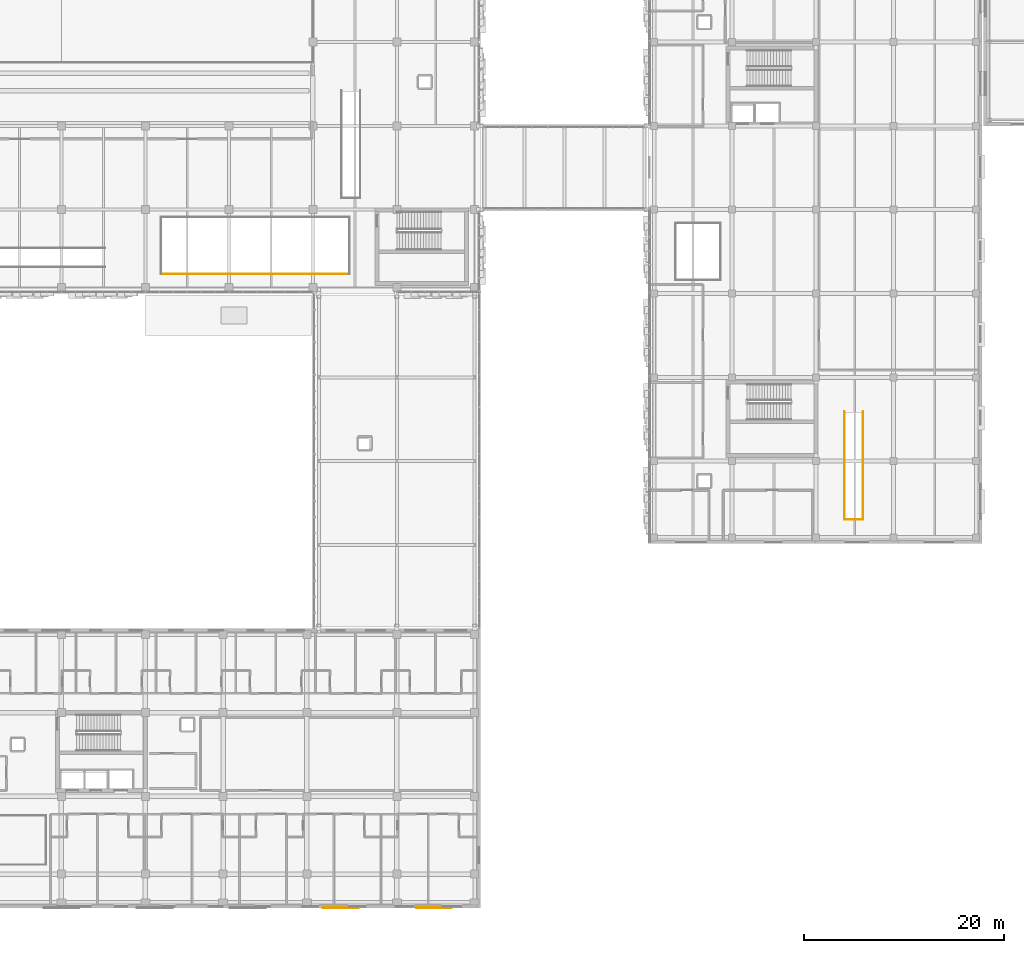
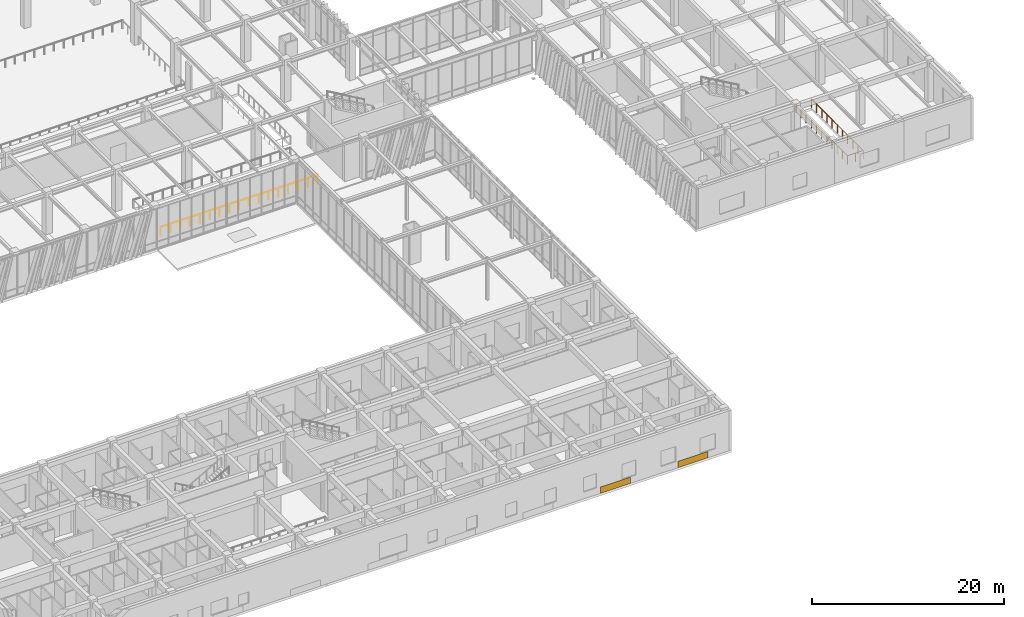
# One storey, part 126 of 139: 4 railings, 2 coverings.
"""IFC4 building model written with IfcOpenShell, lengths in metres."""

from ifc_helpers import new_model, si_unit, direction, frame, origin, origin_2d, place, context, subcontext, project, spatial, rectangle, circle, extrude, material, layer, layer_set, type_object, element, save


model = new_model("IFC4")

# Units and contexts
model_context = context("Model", 3, precision=1e-05, world=origin(), true_north=direction((0.0, 1.0)))
body_context = subcontext(model_context, "Body", "Model", "MODEL_VIEW")
ifc_project = project(units=[si_unit("LENGTHUNIT", "METRE"), si_unit("AREAUNIT", "SQUARE_METRE"), si_unit("VOLUMEUNIT", "CUBIC_METRE"), si_unit("PLANEANGLEUNIT", "RADIAN"), si_unit("MASSUNIT", "GRAM", prefix="KILO")], contexts=[model_context])

# Site, building, storey
site_placement = place(None, origin())
site = spatial("IfcSite", under=ifc_project, at=site_placement, CompositionType="ELEMENT")
building_placement = place(site_placement, origin())
building = spatial("IfcBuilding", under=site, at=building_placement, Name="Zayran Congress Hotel", CompositionType="ELEMENT")
storey_placement = place(building_placement, frame((0.0, 0.0, 5.39990234375)))
storey = spatial("IfcBuildingStorey", under=building, at=storey_placement, Name="L01", CompositionType="ELEMENT", Elevation=5.39990234375)

# Coverings
ifc_material_1 = material(Name="Ochre geometric bas-relief Hajar Ma'ani stone", Category="masonry")
ifc_layer = layer(ifc_material_1, 0.090087890625)
ifc_layer_set = layer_set([ifc_layer], Name="Ochre geometric bas-relief Hajar Ma'ani stone")
covering_type = type_object("IfcCoveringType", Name="TP-CLD-01", PredefinedType="CLADDING", material=ifc_layer_set)
for number, where, z_axis, x_axis, name in (
    (1, (78.39990234375, 6.044921875, 0.0), (0.0, 0.0, 1.0), (1.0, 0.0, 0.0), "CLD-V5S-L01-7"),
    (2, (87.73291015625, 6.044921875, 0.0), (0.0, 0.0, 1.0), (1.0, 0.0, 0.0), "CLD-V5S-L01-8"),
):
    element("IfcCovering", number, at=place(storey_placement, frame(where, z_axis=z_axis, x_axis=x_axis)), inside=storey, type_object=covering_type, Name=name, PredefinedType="CLADDING", context=body_context, shape_type="SweptSolid", body=[
        extrude(rectangle(XDim=3.60009765625, YDim=0.090087890625, at=origin_2d()), origin(), (0.0, 0.0, 1.0), 0.800048828125),
    ])

# Railings
ifc_material_2 = material(Name="Painted steel balustrade", Category="steel")
railing_type = type_object("IfcRailingType", Name="TP-GRD-INT", PredefinedType="GUARDRAIL", material=ifc_material_2)
railing_1_placement = place(storey_placement, frame((128.860107421875, 55.75, 0.0)))
element("IfcRailing", 3, at=railing_1_placement, inside=storey, type_object=railing_type, Name="GRD-VOMWELL-06-WL", PredefinedType="GUARDRAIL", context=body_context, shape_type="SweptSolid", body=[
    extrude(circle(Radius=0.02392578125, at=origin_2d()), frame((0.0, 0.0, 1.076171875), z_axis=(0.0, -1.0, 0.0), x_axis=(1.0, 0.0, 0.0)), (0.0, 0.0, 1.0), 10.800048828125),
    extrude(circle(Radius=0.02099609375, at=origin_2d()), origin(), (0.0, 0.0, 1.0), 1.052001953125),
    extrude(circle(Radius=0.02099609375, at=origin_2d()), frame((0.0, -1.080078125, 0.0)), (0.0, 0.0, 1.0), 1.052001953125),
    extrude(circle(Radius=0.02099609375, at=origin_2d()), frame((0.0, -2.159912109375, 0.0)), (0.0, 0.0, 1.0), 1.052001953125),
    extrude(circle(Radius=0.02099609375, at=origin_2d()), frame((0.0, -3.239990234375, 0.0)), (0.0, 0.0, 1.0), 1.052001953125),
    extrude(circle(Radius=0.02099609375, at=origin_2d()), frame((0.0, -4.320068359375, 0.0)), (0.0, 0.0, 1.0), 1.052001953125),
    extrude(circle(Radius=0.02099609375, at=origin_2d()), frame((0.0, -5.39990234375, 0.0)), (0.0, 0.0, 1.0), 1.052001953125),
    extrude(circle(Radius=0.02099609375, at=origin_2d()), frame((0.0, -6.47998046875, 0.0)), (0.0, 0.0, 1.0), 1.052001953125),
    extrude(circle(Radius=0.02099609375, at=origin_2d()), frame((0.0, -7.56005859375, 0.0)), (0.0, 0.0, 1.0), 1.052001953125),
    extrude(circle(Radius=0.02099609375, at=origin_2d()), frame((0.0, -8.64013671875, 0.0)), (0.0, 0.0, 1.0), 1.052001953125),
    extrude(circle(Radius=0.02099609375, at=origin_2d()), frame((0.0, -9.719970703125, 0.0)), (0.0, 0.0, 1.0), 1.052001953125),
    extrude(circle(Radius=0.02099609375, at=origin_2d()), frame((0.0, -10.800048828125, 0.0)), (0.0, 0.0, 1.0), 1.052001953125),
])
railing_2_placement = place(storey_placement, frame((128.860107421875, 44.949951171875, 0.0)))
element("IfcRailing", 4, at=railing_2_placement, inside=storey, type_object=railing_type, Name="GRD-VOMWELL-06-WB", PredefinedType="GUARDRAIL", context=body_context, shape_type="SweptSolid", body=[
    extrude(circle(Radius=0.02392578125, at=origin_2d()), frame((0.0, 0.0, 1.076171875), z_axis=(1.0, 0.0, 0.0), x_axis=(0.0, 1.0, 0.0)), (0.0, 0.0, 1.0), 1.8798828125),
    extrude(circle(Radius=0.02099609375, at=origin_2d()), origin(), (0.0, 0.0, 1.0), 1.052001953125),
    extrude(circle(Radius=0.02099609375, at=origin_2d()), frame((0.93994140625, 0.0, 0.0)), (0.0, 0.0, 1.0), 1.052001953125),
    extrude(circle(Radius=0.02099609375, at=origin_2d()), frame((1.8798828125, 0.0, 0.0)), (0.0, 0.0, 1.0), 1.052001953125),
])
railing_3_placement = place(storey_placement, frame((130.739990234375, 44.949951171875, 0.0)))
element("IfcRailing", 5, at=railing_3_placement, inside=storey, type_object=railing_type, Name="GRD-VOMWELL-06-WR", PredefinedType="GUARDRAIL", context=body_context, shape_type="SweptSolid", body=[
    extrude(circle(Radius=0.02392578125, at=origin_2d()), frame((0.0, 0.0, 1.076171875), z_axis=(0.0, 1.0, 0.0), x_axis=(-1.0, 0.0, 0.0)), (0.0, 0.0, 1.0), 10.800048828125),
    extrude(circle(Radius=0.02099609375, at=origin_2d()), origin(), (0.0, 0.0, 1.0), 1.052001953125),
    extrude(circle(Radius=0.02099609375, at=origin_2d()), frame((0.0, 1.080078125, 0.0)), (0.0, 0.0, 1.0), 1.052001953125),
    extrude(circle(Radius=0.02099609375, at=origin_2d()), frame((0.0, 2.159912109375, 0.0)), (0.0, 0.0, 1.0), 1.052001953125),
    extrude(circle(Radius=0.02099609375, at=origin_2d()), frame((0.0, 3.239990234375, 0.0)), (0.0, 0.0, 1.0), 1.052001953125),
    extrude(circle(Radius=0.02099609375, at=origin_2d()), frame((0.0, 4.320068359375, 0.0)), (0.0, 0.0, 1.0), 1.052001953125),
    extrude(circle(Radius=0.02099609375, at=origin_2d()), frame((0.0, 5.39990234375, 0.0)), (0.0, 0.0, 1.0), 1.052001953125),
    extrude(circle(Radius=0.02099609375, at=origin_2d()), frame((0.0, 6.47998046875, 0.0)), (0.0, 0.0, 1.0), 1.052001953125),
    extrude(circle(Radius=0.02099609375, at=origin_2d()), frame((0.0, 7.56005859375, 0.0)), (0.0, 0.0, 1.0), 1.052001953125),
    extrude(circle(Radius=0.02099609375, at=origin_2d()), frame((0.0, 8.64013671875, 0.0)), (0.0, 0.0, 1.0), 1.052001953125),
    extrude(circle(Radius=0.02099609375, at=origin_2d()), frame((0.0, 9.719970703125, 0.0)), (0.0, 0.0, 1.0), 1.052001953125),
    extrude(circle(Radius=0.02099609375, at=origin_2d()), frame((0.0, 10.800048828125, 0.0)), (0.0, 0.0, 1.0), 1.052001953125),
])
railing_4_placement = place(storey_placement, frame((60.35009765625, 69.550048828125, 0.0)))
element("IfcRailing", 6, at=railing_4_placement, inside=storey, type_object=railing_type, Name="V1 L01 Interior Void Guardrail V1-L01-FOY-S", PredefinedType="GUARDRAIL", context=body_context, shape_type="SweptSolid", body=[
    extrude(circle(Radius=0.02392578125, at=origin_2d()), frame((0.0, 0.0, 1.076171875), z_axis=(1.0, 0.0, 0.0), x_axis=(0.0, 1.0, 0.0)), (0.0, 0.0, 1.0), 18.89990234375),
    extrude(circle(Radius=0.02099609375, at=origin_2d()), origin(), (0.0, 0.0, 1.0), 1.052001953125),
    extrude(circle(Radius=0.02099609375, at=origin_2d()), frame((1.18115234375, 0.0, 0.0)), (0.0, 0.0, 1.0), 1.052001953125),
    extrude(circle(Radius=0.02099609375, at=origin_2d()), frame((2.362548828125, 0.0, 0.0)), (0.0, 0.0, 1.0), 1.052001953125),
    extrude(circle(Radius=0.02099609375, at=origin_2d()), frame((3.543701171875, 0.0, 0.0)), (0.0, 0.0, 1.0), 1.052001953125),
    extrude(circle(Radius=0.02099609375, at=origin_2d()), frame((4.72509765625, 0.0, 0.0)), (0.0, 0.0, 1.0), 1.052001953125),
    extrude(circle(Radius=0.02099609375, at=origin_2d()), frame((5.90625, 0.0, 0.0)), (0.0, 0.0, 1.0), 1.052001953125),
    extrude(circle(Radius=0.02099609375, at=origin_2d()), frame((7.08740234375, 0.0, 0.0)), (0.0, 0.0, 1.0), 1.052001953125),
    extrude(circle(Radius=0.02099609375, at=origin_2d()), frame((8.268798828125, 0.0, 0.0)), (0.0, 0.0, 1.0), 1.052001953125),
    extrude(circle(Radius=0.02099609375, at=origin_2d()), frame((9.449951171875, 0.0, 0.0)), (0.0, 0.0, 1.0), 1.052001953125),
    extrude(circle(Radius=0.02099609375, at=origin_2d()), frame((10.631103515625, 0.0, 0.0)), (0.0, 0.0, 1.0), 1.052001953125),
    extrude(circle(Radius=0.02099609375, at=origin_2d()), frame((11.8125, 0.0, 0.0)), (0.0, 0.0, 1.0), 1.052001953125),
    extrude(circle(Radius=0.02099609375, at=origin_2d()), frame((12.99365234375, 0.0, 0.0)), (0.0, 0.0, 1.0), 1.052001953125),
    extrude(circle(Radius=0.02099609375, at=origin_2d()), frame((14.1748046875, 0.0, 0.0)), (0.0, 0.0, 1.0), 1.052001953125),
    extrude(circle(Radius=0.02099609375, at=origin_2d()), frame((15.356201171875, 0.0, 0.0)), (0.0, 0.0, 1.0), 1.052001953125),
    extrude(circle(Radius=0.02099609375, at=origin_2d()), frame((16.537353515625, 0.0, 0.0)), (0.0, 0.0, 1.0), 1.052001953125),
    extrude(circle(Radius=0.02099609375, at=origin_2d()), frame((17.71875, 0.0, 0.0)), (0.0, 0.0, 1.0), 1.052001953125),
    extrude(circle(Radius=0.02099609375, at=origin_2d()), frame((18.89990234375, 0.0, 0.0)), (0.0, 0.0, 1.0), 1.052001953125),
])

save(model, "model.ifc")
